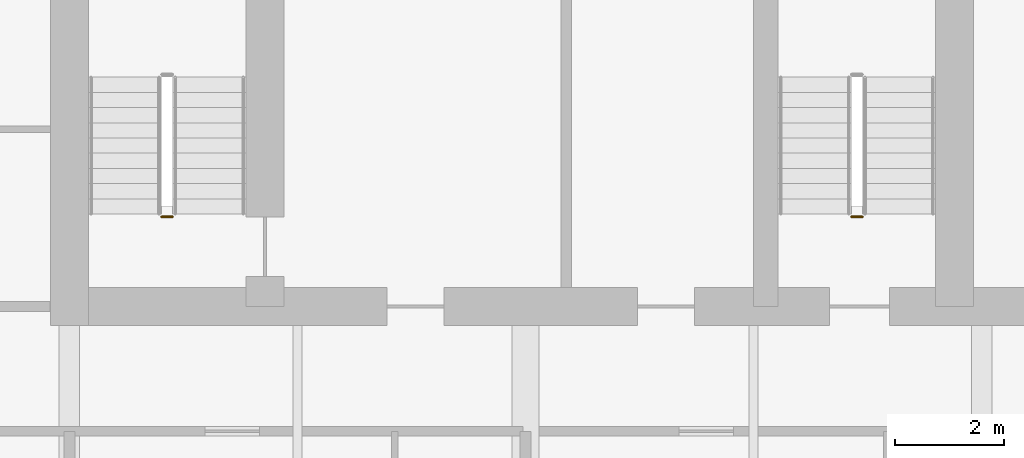
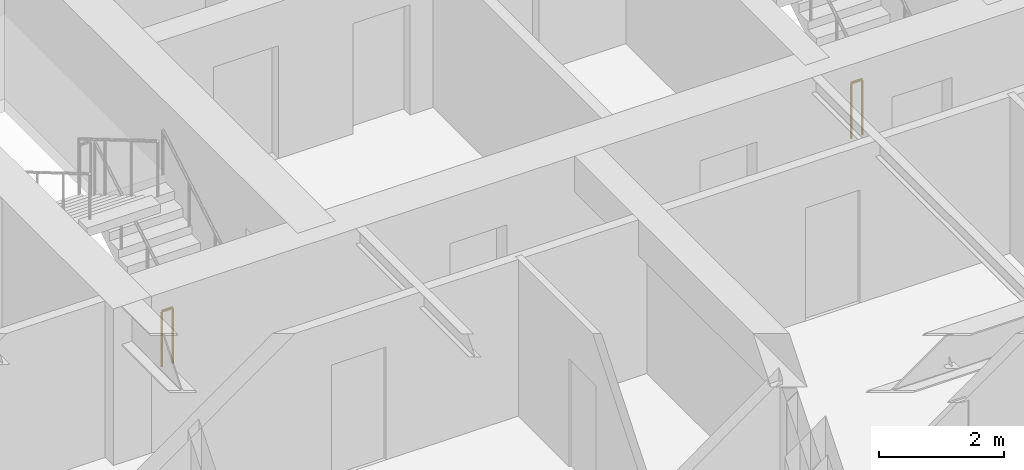
# One storey, part 13 of 16: 2 railings.
"""IFC4 building model written with IfcOpenShell, lengths in metres."""

from ifc_helpers import new_model, si_unit, direction, frame, origin, origin_2d, place, context, subcontext, project, spatial, circle, extrude, material, type_object, element, save


model = new_model("IFC4")

# Units and contexts
model_context = context("Model", 3, precision=1e-05, world=origin(), true_north=direction((0.0, 1.0)))
body_context = subcontext(model_context, "Body", "Model", "MODEL_VIEW")
ifc_project = project(units=[si_unit("LENGTHUNIT", "METRE"), si_unit("AREAUNIT", "SQUARE_METRE"), si_unit("VOLUMEUNIT", "CUBIC_METRE"), si_unit("PLANEANGLEUNIT", "RADIAN"), si_unit("MASSUNIT", "GRAM", prefix="KILO")], contexts=[model_context])

# Site, building, storey
site_placement = place(None, origin())
site = spatial("IfcSite", under=ifc_project, at=site_placement, CompositionType="ELEMENT")
building_placement = place(site_placement, origin())
building = spatial("IfcBuilding", under=site, at=building_placement, Name="Caelmar Bay Residences", CompositionType="ELEMENT")
storey_placement = place(building_placement, frame((0.0, 0.0, 249.60009765625)))
storey = spatial("IfcBuildingStorey", under=building, at=storey_placement, Name="L70", CompositionType="ELEMENT", Elevation=249.60009765625)

# Railings
ifc_material = material(Name="Painted galvanized steel stair guard 1100 mm", Category="steel")
railing_type = type_object("IfcRailingType", Name="RL-GRD-1100", PredefinedType="GUARDRAIL", material=ifc_material)
for number, where, name in (
    (1, (20.199951171875, 38.64990234375, 0.0), "L70 ST1 stair guard 4"),
    (2, (32.89990234375, 38.64990234375, 0.0), "L70 ST3 stair guard 4"),
):
    element("IfcRailing", number, at=place(storey_placement, frame(where)), inside=storey, type_object=railing_type, Name=name, PredefinedType="GUARDRAIL", context=body_context, shape_type="SweptSolid", body=[
        extrude(circle(Radius=0.02392578125, at=origin_2d()), frame((0.0, 0.0, 1.076171875), z_axis=(-1.0, 0.0, 0.0), x_axis=(0.0, -1.0, 0.0)), (0.0, 0.0, 1.0), 0.199951171875),
        extrude(circle(Radius=0.02099609375, at=origin_2d()), origin(), (0.0, 0.0, 1.0), 1.052001953125),
        extrude(circle(Radius=0.02099609375, at=origin_2d()), frame((-0.199951171875, 0.0, 0.0)), (0.0, 0.0, 1.0), 1.052001953125),
    ])

save(model, "model.ifc")
